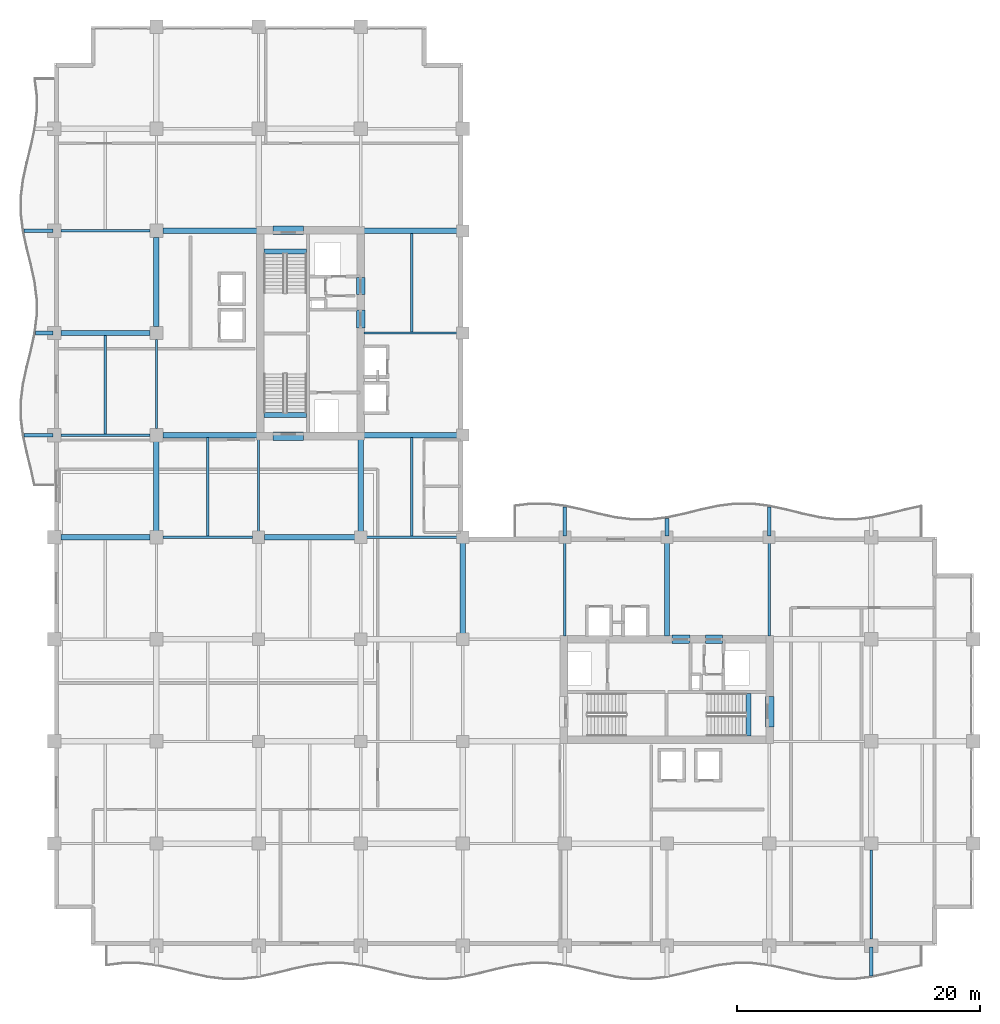
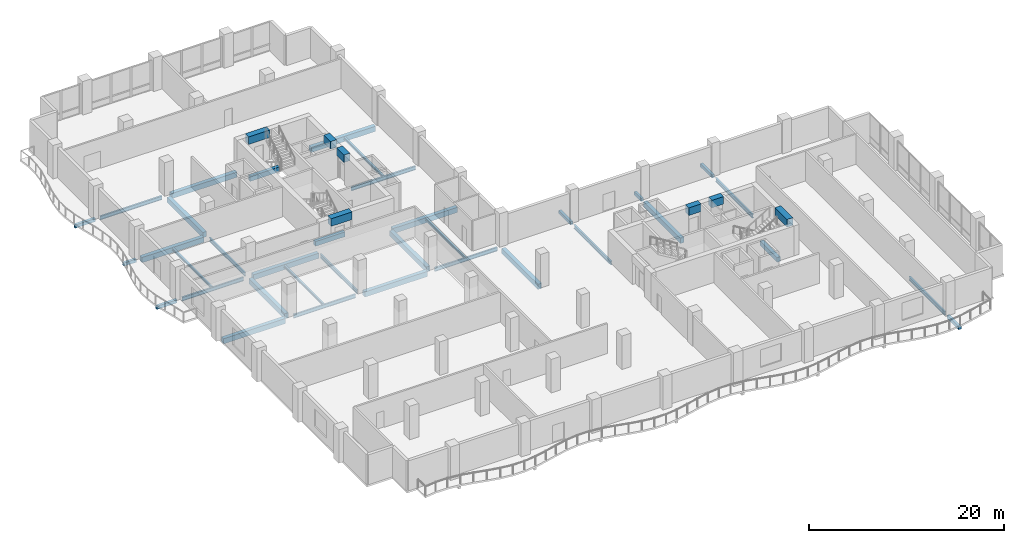
# One storey, part 2 of 21: 43 beams.
"""IFC4 building model written with IfcOpenShell, lengths in metres."""

from ifc_helpers import new_model, si_unit, direction, frame, origin, origin_2d, place, context, subcontext, project, spatial, rectangle, i_section, extrude, material, material_profile, profile_set, type_object, element, save


model = new_model("IFC4")

# Units and contexts
model_context = context("Model", 3, precision=1e-05, world=origin(), true_north=direction((0.0, 1.0)))
body_context = subcontext(model_context, "Body", "Model", "MODEL_VIEW")
ifc_project = project(units=[si_unit("LENGTHUNIT", "METRE"), si_unit("AREAUNIT", "SQUARE_METRE"), si_unit("VOLUMEUNIT", "CUBIC_METRE"), si_unit("PLANEANGLEUNIT", "RADIAN"), si_unit("MASSUNIT", "GRAM", prefix="KILO")], contexts=[model_context])

# Site, building, storey
site_placement = place(None, origin())
site = spatial("IfcSite", under=ifc_project, at=site_placement, CompositionType="ELEMENT")
building_placement = place(site_placement, origin())
building = spatial("IfcBuilding", under=site, at=building_placement, Name="Koriwani Terraces Tower", CompositionType="ELEMENT")
storey_placement = place(building_placement, frame((0.0, 0.0, 224.0)))
storey = spatial("IfcBuildingStorey", under=building, at=storey_placement, Name="L55", CompositionType="ELEMENT", Elevation=224.0)

# Beams
ifc_material_1 = material(Name="Concrete C40/50", Category="concrete")
ifc_material_profile_1 = material_profile(ifc_material_1, rectangle(XDim=0.300048828125, YDim=0.39990234375, at=origin_2d()), Name="Concrete C40/50", Category="LoadBearing")
ifc_profile_set_1 = profile_set([ifc_material_profile_1], Name="Concrete C40/50")
beam_type_1 = type_object("IfcBeamType", Name="BEAM_RC_BALCONY_RIB_300X400", PredefinedType="JOIST", material=ifc_profile_set_1)
for number, where, z_axis, x_axis, name in (
    (1, (67.199951171875, -2.502197265625, -0.429931640625), (0.0, 1.0, 0.0), (-1.0, 0.0, 0.0), "L55 Balcony Bracket Rib S-8"),
    (2, (-2.502197265625, 42.0, -0.429931640625), (1.0, 0.0, 0.0), (0.0, 1.0, 0.0), "L55 Balcony Bracket Rib W-1"),
):
    element("IfcBeam", number, at=place(storey_placement, frame(where, z_axis=z_axis, x_axis=x_axis)), inside=storey, type_object=beam_type_1, Name=name, PredefinedType="JOIST", context=body_context, shape_type="SweptSolid", body=[
        extrude(rectangle(XDim=0.300048828125, YDim=0.39990234375, at=origin_2d()), origin(), (0.0, 0.0, 1.0), 2.402099609375),
    ])
beam_1_placement = place(storey_placement, frame((-1.547607421875, 50.39990234375, -0.429931640625), z_axis=(1.0, 0.0, 0.0), x_axis=(0.0, 1.0, 0.0)))
element("IfcBeam", 3, at=beam_1_placement, inside=storey, type_object=beam_type_1, Name="L55 Balcony Bracket Rib W-2", PredefinedType="JOIST", context=body_context, shape_type="SweptSolid", body=[
    extrude(rectangle(XDim=0.300048828125, YDim=0.39990234375, at=origin_2d()), origin(), (0.0, 0.0, 1.0), 1.447509765625),
])
beam_2_placement = place(storey_placement, frame((-2.502197265625, 58.800048828125, -0.429931640625), z_axis=(1.0, 0.0, 0.0), x_axis=(0.0, 1.0, 0.0)))
element("IfcBeam", 4, at=beam_2_placement, inside=storey, type_object=beam_type_1, Name="L55 Balcony Bracket Rib W-3", PredefinedType="JOIST", context=body_context, shape_type="SweptSolid", body=[
    extrude(rectangle(XDim=0.300048828125, YDim=0.39990234375, at=origin_2d()), origin(), (0.0, 0.0, 1.0), 2.402099609375),
])
beam_3_placement = place(storey_placement, frame((42.0, 33.699951171875, -0.429931640625), z_axis=(0.0, 1.0, 0.0), x_axis=(-1.0, 0.0, 0.0)))
element("IfcBeam", 5, at=beam_3_placement, inside=storey, type_object=beam_type_1, Name="L55 Balcony Bracket Rib NE-1", PredefinedType="JOIST", context=body_context, shape_type="SweptSolid", body=[
    extrude(rectangle(XDim=0.300048828125, YDim=0.39990234375, at=origin_2d()), origin(), (0.0, 0.0, 1.0), 2.40234375),
])
beam_4_placement = place(storey_placement, frame((50.39990234375, 33.699951171875, -0.429931640625), z_axis=(0.0, 1.0, 0.0), x_axis=(-1.0, 0.0, 0.0)))
element("IfcBeam", 6, at=beam_4_placement, inside=storey, type_object=beam_type_1, Name="L55 Balcony Bracket Rib NE-2", PredefinedType="JOIST", context=body_context, shape_type="SweptSolid", body=[
    extrude(rectangle(XDim=0.300048828125, YDim=0.39990234375, at=origin_2d()), origin(), (0.0, 0.0, 1.0), 1.44775390625),
])
beam_5_placement = place(storey_placement, frame((58.800048828125, 33.699951171875, -0.429931640625), z_axis=(0.0, 1.0, 0.0), x_axis=(-1.0, 0.0, 0.0)))
element("IfcBeam", 7, at=beam_5_placement, inside=storey, type_object=beam_type_1, Name="L55 Balcony Bracket Rib NE-3", PredefinedType="JOIST", context=body_context, shape_type="SweptSolid", body=[
    extrude(rectangle(XDim=0.300048828125, YDim=0.39990234375, at=origin_2d()), origin(), (0.0, 0.0, 1.0), 2.40234375),
])
ifc_material_2 = material(Name="Concrete C60/75", Category="concrete")
ifc_material_profile_2 = material_profile(ifc_material_2, rectangle(XDim=0.699951171875, YDim=0.949951171875, at=origin_2d()), Name="Concrete C60/75", Category="LoadBearing")
ifc_profile_set_2 = profile_set([ifc_material_profile_2], Name="Concrete C60/75")
beam_type_2 = type_object("IfcBeamType", Name="BEAM_RC_COUPLING_700X950", PredefinedType="LINTEL", material=ifc_profile_set_2)
beam_6_placement = place(storey_placement, frame((25.199951171875, 50.800048828125, 3.27490234375), z_axis=(0.0, 1.0, 0.0), x_axis=(-1.0, 0.0, 0.0)))
element("IfcBeam", 8, at=beam_6_placement, inside=storey, type_object=beam_type_2, Name="L55 Core Coupling Lintel Beam WE1", PredefinedType="LINTEL", context=body_context, shape_type="SweptSolid", body=[
    extrude(rectangle(XDim=0.699951171875, YDim=0.949951171875, at=origin_2d()), origin(), (0.0, 0.0, 1.0), 1.47998046875),
])
beam_7_placement = place(storey_placement, frame((25.199951171875, 53.550048828125, 3.27490234375), z_axis=(0.0, 1.0, 0.0), x_axis=(-1.0, 0.0, 0.0)))
element("IfcBeam", 9, at=beam_7_placement, inside=storey, type_object=beam_type_2, Name="L55 Core Coupling Lintel Beam WE2", PredefinedType="LINTEL", context=body_context, shape_type="SweptSolid", body=[
    extrude(rectangle(XDim=0.699951171875, YDim=0.949951171875, at=origin_2d()), origin(), (0.0, 0.0, 1.0), 1.39990234375),
])
for number, where, z_axis, x_axis, name in (
    (10, (18.0, 41.89990234375, 3.27490234375), (1.0, 0.0, 0.0), (0.0, 1.0, 0.0), "L55 Core Coupling Lintel Beam WS"),
    (11, (18.0, 58.85009765625, 3.27490234375), (1.0, 0.0, 0.0), (0.0, 1.0, 0.0), "L55 Core Coupling Lintel Beam WN"),
):
    element("IfcBeam", number, at=place(storey_placement, frame(where, z_axis=z_axis, x_axis=x_axis)), inside=storey, type_object=beam_type_2, Name=name, PredefinedType="LINTEL", context=body_context, shape_type="SweptSolid", body=[
        extrude(rectangle(XDim=0.699951171875, YDim=0.949951171875, at=origin_2d()), origin(), (0.0, 0.0, 1.0), 2.5),
    ])
beam_8_placement = place(storey_placement, frame((50.800048828125, 25.199951171875, 3.27490234375), z_axis=(1.0, 0.0, 0.0), x_axis=(0.0, 1.0, 0.0)))
element("IfcBeam", 12, at=beam_8_placement, inside=storey, type_object=beam_type_2, Name="L55 Core Coupling Lintel Beam EN1", PredefinedType="LINTEL", context=body_context, shape_type="SweptSolid", body=[
    extrude(rectangle(XDim=0.699951171875, YDim=0.949951171875, at=origin_2d()), origin(), (0.0, 0.0, 1.0), 1.47998046875),
])
beam_9_placement = place(storey_placement, frame((53.550048828125, 25.199951171875, 3.27490234375), z_axis=(1.0, 0.0, 0.0), x_axis=(0.0, 1.0, 0.0)))
element("IfcBeam", 13, at=beam_9_placement, inside=storey, type_object=beam_type_2, Name="L55 Core Coupling Lintel Beam EN2", PredefinedType="LINTEL", context=body_context, shape_type="SweptSolid", body=[
    extrude(rectangle(XDim=0.699951171875, YDim=0.949951171875, at=origin_2d()), origin(), (0.0, 0.0, 1.0), 1.39990234375),
])
beam_10_placement = place(storey_placement, frame((58.85009765625, 18.0, 3.27490234375), z_axis=(0.0, 1.0, 0.0), x_axis=(-1.0, 0.0, 0.0)))
element("IfcBeam", 14, at=beam_10_placement, inside=storey, type_object=beam_type_2, Name="L55 Core Coupling Lintel Beam EE", PredefinedType="LINTEL", context=body_context, shape_type="SweptSolid", body=[
    extrude(rectangle(XDim=0.699951171875, YDim=0.949951171875, at=origin_2d()), origin(), (0.0, 0.0, 1.0), 2.5),
])
ifc_material_profile_3 = material_profile(ifc_material_1, rectangle(XDim=0.39990234375, YDim=0.60009765625, at=origin_2d()), Name="Concrete C40/50", Category="LoadBearing")
ifc_profile_set_3 = profile_set([ifc_material_profile_3], Name="Concrete C40/50")
beam_type_3 = type_object("IfcBeamType", Name="BEAM_RC_GRID_400X600", PredefinedType="BEAM", material=ifc_profile_set_3)
for number, where, z_axis, x_axis, name in (
    (15, (17.25, 43.655029296875, -0.300048828125), (1.0, 0.0, 0.0), (0.0, 1.0, 0.0), "L55 Stairwell Header Trimmer Beam ST-W1"),
    (16, (17.25, 57.094970703125, -0.300048828125), (1.0, 0.0, 0.0), (0.0, 1.0, 0.0), "L55 Stairwell Header Trimmer Beam ST-W2"),
    (17, (57.094970703125, 17.25, -0.300048828125), (0.0, 1.0, 0.0), (-1.0, 0.0, 0.0), "L55 Stairwell Header Trimmer Beam ST-E2"),
):
    element("IfcBeam", number, at=place(storey_placement, frame(where, z_axis=z_axis, x_axis=x_axis)), inside=storey, type_object=beam_type_3, Name=name, PredefinedType="BEAM", context=body_context, shape_type="SweptSolid", body=[
        extrude(rectangle(XDim=0.39990234375, YDim=0.60009765625, at=origin_2d()), origin(), (0.0, 0.0, 1.0), 3.5),
    ])
ifc_material_3 = material(Name="Concrete C50/60", Category="concrete")
ifc_material_profile_4 = material_profile(ifc_material_3, rectangle(XDim=0.449951171875, YDim=0.64990234375, at=origin_2d()), Name="Concrete C50/60", Category="LoadBearing")
ifc_profile_set_4 = profile_set([ifc_material_profile_4], Name="Concrete C50/60")
beam_type_4 = type_object("IfcBeamType", Name="BEAM_RC_GRID_450X650", PredefinedType="BEAM", material=ifc_profile_set_4)
beam_11_placement = place(storey_placement, frame((0.530029296875, 33.60009765625, -0.554931640625), z_axis=(1.0, 0.0, 0.0), x_axis=(0.0, 1.0, 0.0)))
element("IfcBeam", 18, at=beam_11_placement, inside=storey, type_object=beam_type_4, Name="L55 Grid Beam E (0.0-8.4m)", PredefinedType="BEAM", context=body_context, shape_type="SweptSolid", body=[
    extrude(rectangle(XDim=0.449951171875, YDim=0.64990234375, at=origin_2d()), origin(), (0.0, 0.0, 1.0), 7.340087890625),
])
beam_12_placement = place(storey_placement, frame((17.280029296875, 33.60009765625, -0.554931640625), z_axis=(1.0, 0.0, 0.0), x_axis=(0.0, 1.0, 0.0)))
element("IfcBeam", 19, at=beam_12_placement, inside=storey, type_object=beam_type_4, Name="L55 Grid Beam E (16.8-25.2m)", PredefinedType="BEAM", context=body_context, shape_type="SweptSolid", body=[
    extrude(rectangle(XDim=0.449951171875, YDim=0.64990234375, at=origin_2d()), origin(), (0.0, 0.0, 1.0), 7.43994140625),
])
beam_13_placement = place(storey_placement, frame((8.929931640625, 42.0, -0.554931640625), z_axis=(1.0, 0.0, 0.0), x_axis=(0.0, 1.0, 0.0)))
element("IfcBeam", 20, at=beam_13_placement, inside=storey, type_object=beam_type_4, Name="L55 Grid Beam F (8.4-16.8m)", PredefinedType="BEAM", context=body_context, shape_type="SweptSolid", body=[
    extrude(rectangle(XDim=0.449951171875, YDim=0.64990234375, at=origin_2d()), origin(), (0.0, 0.0, 1.0), 7.739990234375),
])
beam_14_placement = place(storey_placement, frame((25.47998046875, 42.0, -0.554931640625), z_axis=(1.0, 0.0, 0.0), x_axis=(0.0, 1.0, 0.0)))
element("IfcBeam", 21, at=beam_14_placement, inside=storey, type_object=beam_type_4, Name="L55 Grid Beam F (25.2-33.6m)", PredefinedType="BEAM", context=body_context, shape_type="SweptSolid", body=[
    extrude(rectangle(XDim=0.449951171875, YDim=0.64990234375, at=origin_2d()), origin(), (0.0, 0.0, 1.0), 7.64013671875),
])
beam_15_placement = place(storey_placement, frame((0.530029296875, 50.39990234375, -0.554931640625), z_axis=(1.0, 0.0, 0.0), x_axis=(0.0, 1.0, 0.0)))
element("IfcBeam", 22, at=beam_15_placement, inside=storey, type_object=beam_type_4, Name="L55 Grid Beam G (0.0-8.4m)", PredefinedType="BEAM", context=body_context, shape_type="SweptSolid", body=[
    extrude(rectangle(XDim=0.449951171875, YDim=0.64990234375, at=origin_2d()), origin(), (0.0, 0.0, 1.0), 7.340087890625),
])
beam_16_placement = place(storey_placement, frame((8.929931640625, 58.800048828125, -0.554931640625), z_axis=(1.0, 0.0, 0.0), x_axis=(0.0, 1.0, 0.0)))
element("IfcBeam", 23, at=beam_16_placement, inside=storey, type_object=beam_type_4, Name="L55 Grid Beam H (8.4-16.8m)", PredefinedType="BEAM", context=body_context, shape_type="SweptSolid", body=[
    extrude(rectangle(XDim=0.449951171875, YDim=0.64990234375, at=origin_2d()), origin(), (0.0, 0.0, 1.0), 7.739990234375),
])
beam_17_placement = place(storey_placement, frame((25.47998046875, 58.800048828125, -0.554931640625), z_axis=(1.0, 0.0, 0.0), x_axis=(0.0, 1.0, 0.0)))
element("IfcBeam", 24, at=beam_17_placement, inside=storey, type_object=beam_type_4, Name="L55 Grid Beam H (25.2-33.6m)", PredefinedType="BEAM", context=body_context, shape_type="SweptSolid", body=[
    extrude(rectangle(XDim=0.449951171875, YDim=0.64990234375, at=origin_2d()), origin(), (0.0, 0.0, 1.0), 7.64013671875),
])
for number, where, z_axis, x_axis, name in (
    (25, (8.39990234375, 34.1298828125, -0.554931640625), (0.0, 1.0, 0.0), (-1.0, 0.0, 0.0), "L55 Grid Beam 2 (33.6-42.0m)"),
    (26, (8.39990234375, 50.929931640625, -0.554931640625), (0.0, 1.0, 0.0), (-1.0, 0.0, 0.0), "L55 Grid Beam 2 (50.4-58.8m)"),
):
    element("IfcBeam", number, at=place(storey_placement, frame(where, z_axis=z_axis, x_axis=x_axis)), inside=storey, type_object=beam_type_4, Name=name, PredefinedType="BEAM", context=body_context, shape_type="SweptSolid", body=[
        extrude(rectangle(XDim=0.449951171875, YDim=0.64990234375, at=origin_2d()), origin(), (0.0, 0.0, 1.0), 7.340087890625),
    ])
beam_18_placement = place(storey_placement, frame((25.199951171875, 34.080078125, -0.554931640625), z_axis=(0.0, 1.0, 0.0), x_axis=(-1.0, 0.0, 0.0)))
element("IfcBeam", 27, at=beam_18_placement, inside=storey, type_object=beam_type_4, Name="L55 Grid Beam 4 (33.6-42.0m)", PredefinedType="BEAM", context=body_context, shape_type="SweptSolid", body=[
    extrude(rectangle(XDim=0.449951171875, YDim=0.64990234375, at=origin_2d()), origin(), (0.0, 0.0, 1.0), 7.5400390625),
])
beam_19_placement = place(storey_placement, frame((33.60009765625, 25.679931640625, -0.554931640625), z_axis=(0.0, 1.0, 0.0), x_axis=(-1.0, 0.0, 0.0)))
element("IfcBeam", 28, at=beam_19_placement, inside=storey, type_object=beam_type_4, Name="L55 Grid Beam 5 (25.2-33.6m)", PredefinedType="BEAM", context=body_context, shape_type="SweptSolid", body=[
    extrude(rectangle(XDim=0.449951171875, YDim=0.64990234375, at=origin_2d()), origin(), (0.0, 0.0, 1.0), 7.440185546875),
])
beam_20_placement = place(storey_placement, frame((50.39990234375, 25.47998046875, -0.554931640625), z_axis=(0.0, 1.0, 0.0), x_axis=(-1.0, 0.0, 0.0)))
element("IfcBeam", 29, at=beam_20_placement, inside=storey, type_object=beam_type_4, Name="L55 Grid Beam 7 (25.2-33.6m)", PredefinedType="BEAM", context=body_context, shape_type="SweptSolid", body=[
    extrude(rectangle(XDim=0.449951171875, YDim=0.64990234375, at=origin_2d()), origin(), (0.0, 0.0, 1.0), 7.64013671875),
])
ifc_material_4 = material(Name="Steel ASTM A572 Grade 50", Category="steel")
ifc_material_profile_5 = material_profile(ifc_material_4, i_section(OverallWidth=0.205078125, OverallDepth=0.31005859375, WebThickness=0.009521484375, FlangeThickness=0.016357421875, at=origin_2d()), Name="Steel ASTM A572 Grade 50", Category="LoadBearing")
ifc_profile_set_5 = profile_set([ifc_material_profile_5], Name="Steel ASTM A572 Grade 50")
beam_type_5 = type_object("IfcBeamType", Name="STEEL_BEAM_W310X74", PredefinedType="JOIST", material=ifc_profile_set_5)
beam_21_placement = place(storey_placement, frame((4.199951171875, 42.0859375, -0.385009765625), z_axis=(0.0, 1.0, 0.0), x_axis=(-1.0, 0.0, 0.0)))
element("IfcBeam", 30, at=beam_21_placement, inside=storey, type_object=beam_type_5, Name="L55 Secondary Steel Floor Joist X=4.2m", PredefinedType="JOIST", context=body_context, shape_type="SweptSolid", body=[
    extrude(i_section(OverallWidth=0.205078125, OverallDepth=0.31005859375, WebThickness=0.009521484375, FlangeThickness=0.016357421875, at=origin_2d()), origin(), (0.0, 0.0, 1.0), 8.09912109375),
])
for number, where, z_axis, x_axis, name in (
    (31, (12.60009765625, 33.68603515625, -0.385009765625), (0.0, 1.0, 0.0), (-1.0, 0.0, 0.0), "L55 Secondary Steel Floor Joist X=12.6m"),
    (32, (29.39990234375, 33.68603515625, -0.385009765625), (0.0, 1.0, 0.0), (-1.0, 0.0, 0.0), "L55 Secondary Steel Floor Joist X=29.4m"),
    (33, (29.39990234375, 50.486083984375, -0.385009765625), (0.0, 1.0, 0.0), (-1.0, 0.0, 0.0), "L55 Secondary Steel Floor Joist X=29.4m"),
):
    element("IfcBeam", number, at=place(storey_placement, frame(where, z_axis=z_axis, x_axis=x_axis)), inside=storey, type_object=beam_type_5, Name=name, PredefinedType="JOIST", context=body_context, shape_type="SweptSolid", body=[
        extrude(i_section(OverallWidth=0.205078125, OverallDepth=0.31005859375, WebThickness=0.009521484375, FlangeThickness=0.016357421875, at=origin_2d()), origin(), (0.0, 0.0, 1.0), 8.098876953125),
    ])
ifc_material_profile_6 = material_profile(ifc_material_4, i_section(OverallWidth=0.19189453125, OverallDepth=0.462890625, WebThickness=0.010498046875, FlangeThickness=0.01611328125, at=origin_2d()), Name="Steel ASTM A572 Grade 50", Category="LoadBearing")
ifc_profile_set_6 = profile_set([ifc_material_profile_6], Name="Steel ASTM A572 Grade 50")
beam_type_6 = type_object("IfcBeamType", Name="STEEL_BEAM_W460X89", PredefinedType="BEAM", material=ifc_profile_set_6)
beam_22_placement = place(storey_placement, frame((8.929931640625, 33.60009765625, -0.46142578125), z_axis=(1.0, 0.0, 0.0), x_axis=(0.0, 1.0, 0.0)))
element("IfcBeam", 34, at=beam_22_placement, inside=storey, type_object=beam_type_6, Name="L55 Grid Beam E (8.4-16.8m)", PredefinedType="BEAM", context=body_context, shape_type="SweptSolid", body=[
    extrude(i_section(OverallWidth=0.19189453125, OverallDepth=0.462890625, WebThickness=0.010498046875, FlangeThickness=0.01611328125, at=origin_2d()), origin(), (0.0, 0.0, 1.0), 7.39013671875),
])
beam_23_placement = place(storey_placement, frame((25.679931640625, 33.60009765625, -0.46142578125), z_axis=(1.0, 0.0, 0.0), x_axis=(0.0, 1.0, 0.0)))
element("IfcBeam", 35, at=beam_23_placement, inside=storey, type_object=beam_type_6, Name="L55 Grid Beam E (25.2-33.6m)", PredefinedType="BEAM", context=body_context, shape_type="SweptSolid", body=[
    extrude(i_section(OverallWidth=0.19189453125, OverallDepth=0.462890625, WebThickness=0.010498046875, FlangeThickness=0.01611328125, at=origin_2d()), origin(), (0.0, 0.0, 1.0), 7.440185546875),
])
beam_24_placement = place(storey_placement, frame((0.530029296875, 42.0, -0.46142578125), z_axis=(1.0, 0.0, 0.0), x_axis=(0.0, 1.0, 0.0)))
element("IfcBeam", 36, at=beam_24_placement, inside=storey, type_object=beam_type_6, Name="L55 Grid Beam F (0.0-8.4m)", PredefinedType="BEAM", context=body_context, shape_type="SweptSolid", body=[
    extrude(i_section(OverallWidth=0.19189453125, OverallDepth=0.462890625, WebThickness=0.010498046875, FlangeThickness=0.01611328125, at=origin_2d()), origin(), (0.0, 0.0, 1.0), 7.340087890625),
])
beam_25_placement = place(storey_placement, frame((25.47998046875, 50.39990234375, -0.46142578125), z_axis=(1.0, 0.0, 0.0), x_axis=(0.0, 1.0, 0.0)))
element("IfcBeam", 37, at=beam_25_placement, inside=storey, type_object=beam_type_6, Name="L55 Grid Beam G (25.2-33.6m)", PredefinedType="BEAM", context=body_context, shape_type="SweptSolid", body=[
    extrude(i_section(OverallWidth=0.19189453125, OverallDepth=0.462890625, WebThickness=0.010498046875, FlangeThickness=0.01611328125, at=origin_2d()), origin(), (0.0, 0.0, 1.0), 7.64013671875),
])
for number, where, z_axis, x_axis, name in (
    (38, (0.530029296875, 58.800048828125, -0.46142578125), (1.0, 0.0, 0.0), (0.0, 1.0, 0.0), "L55 Grid Beam H (0.0-8.4m)"),
    (39, (8.39990234375, 42.530029296875, -0.46142578125), (0.0, 1.0, 0.0), (-1.0, 0.0, 0.0), "L55 Grid Beam 2 (42.0-50.4m)"),
):
    element("IfcBeam", number, at=place(storey_placement, frame(where, z_axis=z_axis, x_axis=x_axis)), inside=storey, type_object=beam_type_6, Name=name, PredefinedType="BEAM", context=body_context, shape_type="SweptSolid", body=[
        extrude(i_section(OverallWidth=0.19189453125, OverallDepth=0.462890625, WebThickness=0.010498046875, FlangeThickness=0.01611328125, at=origin_2d()), origin(), (0.0, 0.0, 1.0), 7.340087890625),
    ])
beam_26_placement = place(storey_placement, frame((16.800048828125, 34.080078125, -0.46142578125), z_axis=(0.0, 1.0, 0.0), x_axis=(-1.0, 0.0, 0.0)))
element("IfcBeam", 40, at=beam_26_placement, inside=storey, type_object=beam_type_6, Name="L55 Grid Beam 3 (33.6-42.0m)", PredefinedType="BEAM", context=body_context, shape_type="SweptSolid", body=[
    extrude(i_section(OverallWidth=0.19189453125, OverallDepth=0.462890625, WebThickness=0.010498046875, FlangeThickness=0.01611328125, at=origin_2d()), origin(), (0.0, 0.0, 1.0), 7.5400390625),
])
for number, where, z_axis, x_axis, name in (
    (41, (42.0, 25.47998046875, -0.46142578125), (0.0, 1.0, 0.0), (-1.0, 0.0, 0.0), "L55 Grid Beam 6 (25.2-33.6m)"),
    (42, (58.800048828125, 25.47998046875, -0.46142578125), (0.0, 1.0, 0.0), (-1.0, 0.0, 0.0), "L55 Grid Beam 8 (25.2-33.6m)"),
):
    element("IfcBeam", number, at=place(storey_placement, frame(where, z_axis=z_axis, x_axis=x_axis)), inside=storey, type_object=beam_type_6, Name=name, PredefinedType="BEAM", context=body_context, shape_type="SweptSolid", body=[
        extrude(i_section(OverallWidth=0.19189453125, OverallDepth=0.462890625, WebThickness=0.010498046875, FlangeThickness=0.01611328125, at=origin_2d()), origin(), (0.0, 0.0, 1.0), 7.64013671875),
    ])
beam_27_placement = place(storey_placement, frame((67.199951171875, 0.530029296875, -0.46142578125), z_axis=(0.0, 1.0, 0.0), x_axis=(-1.0, 0.0, 0.0)))
element("IfcBeam", 43, at=beam_27_placement, inside=storey, type_object=beam_type_6, Name="L55 Grid Beam 9 (0.0-8.4m)", PredefinedType="BEAM", context=body_context, shape_type="SweptSolid", body=[
    extrude(i_section(OverallWidth=0.19189453125, OverallDepth=0.462890625, WebThickness=0.010498046875, FlangeThickness=0.01611328125, at=origin_2d()), origin(), (0.0, 0.0, 1.0), 7.340087890625),
])

save(model, "model.ifc")
